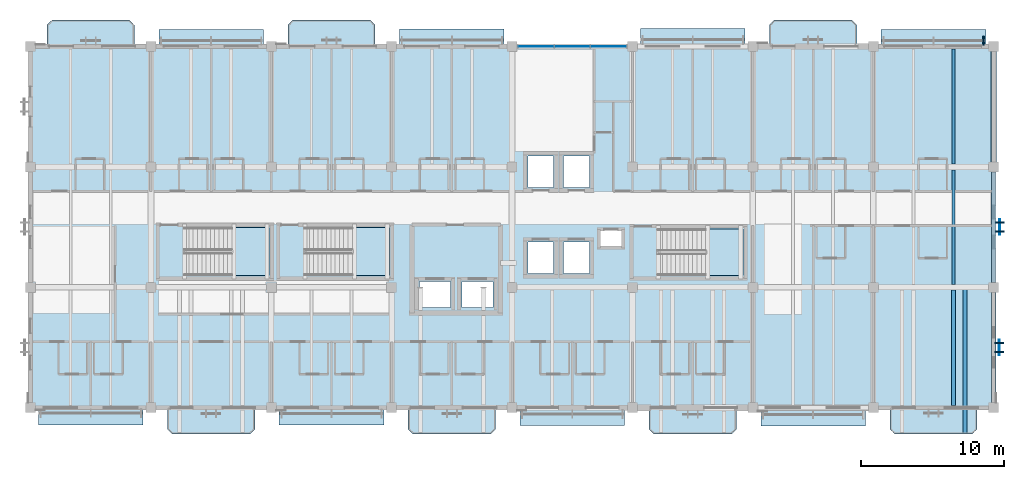
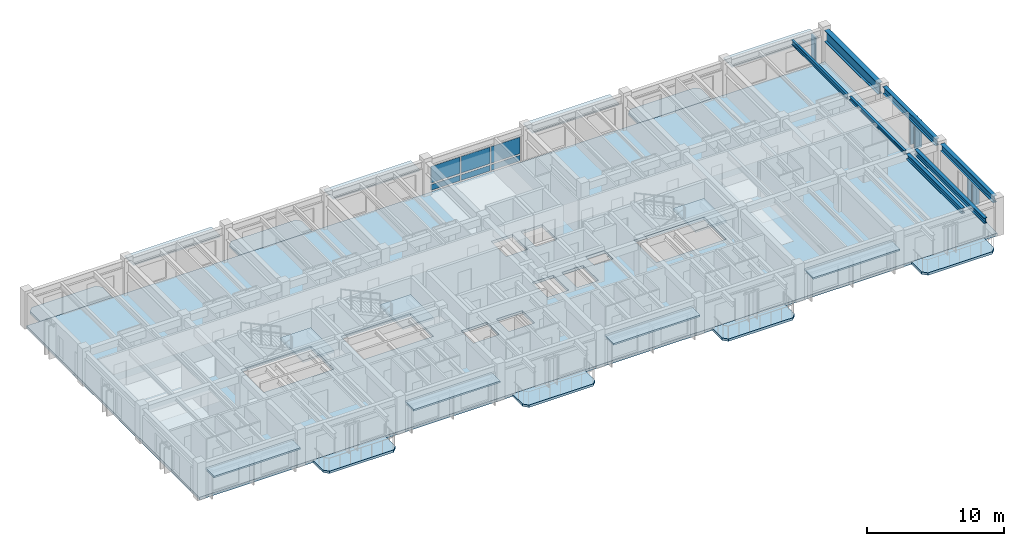
# One storey, part 4 of 18: 14 plates, 11 slabs, 7 beams, 7 members, 14 elements without a shape of their own.
"""IFC4 building model written with IfcOpenShell, lengths in metres."""

from ifc_helpers import new_model, si_unit, direction, frame, origin, origin_2d, place, context, subcontext, project, spatial, polyline, rectangle, i_section, outline, extrude, material, layer, layer_set, material_profile, profile_set, type_object, element, aggregate, save


model = new_model("IFC4")

# Units and contexts
model_context = context("Model", 3, precision=1e-05, world=origin(), true_north=direction((0.0, 1.0)))
body_context = subcontext(model_context, "Body", "Model", "MODEL_VIEW")
ifc_project = project(units=[si_unit("LENGTHUNIT", "METRE"), si_unit("AREAUNIT", "SQUARE_METRE"), si_unit("VOLUMEUNIT", "CUBIC_METRE"), si_unit("PLANEANGLEUNIT", "RADIAN"), si_unit("MASSUNIT", "GRAM", prefix="KILO")], contexts=[model_context])

# Site, building, storey
site_placement = place(None, origin())
site = spatial("IfcSite", under=ifc_project, at=site_placement, CompositionType="ELEMENT")
building_placement = place(site_placement, origin())
building = spatial("IfcBuilding", under=site, at=building_placement, Name="Cumbredor Promenade Congress Hotel", CompositionType="ELEMENT")
storey_placement = place(building_placement, frame((0.0, 0.0, 25.199951171875)))
storey = spatial("IfcBuildingStorey", under=building, at=storey_placement, Name="L07", CompositionType="ELEMENT", Elevation=25.199951171875)

# Beam
ifc_material_1 = material(Name="Steel ASTM A992 Grade 50", Category="steel")
ifc_material_profile_1 = material_profile(ifc_material_1, i_section(OverallWidth=0.402099609375, OverallDepth=1.011962890625, WebThickness=0.023681640625, FlangeThickness=0.0419921875, at=origin_2d()), Name="W40X297")
ifc_profile_set_1 = profile_set([ifc_material_profile_1], Name="Steel ASTM A992 Grade 50")
beam_type_1 = type_object("IfcBeamType", Name="BM-W40X297", PredefinedType="BEAM", material=ifc_profile_set_1)
beam_1_placement = place(storey_placement, frame((67.199951171875, 109.5, 2.533935546875), z_axis=(0.0, 1.0, 0.0), x_axis=(-1.0, 0.0, 0.0)))
element("IfcBeam", 1, at=beam_1_placement, inside=storey, type_object=beam_type_1, Name="L08 North Setback Transfer Girder TGN-08", PredefinedType="BEAM", context=body_context, shape_type="SweptSolid", body=[
    extrude(i_section(OverallWidth=0.402099609375, OverallDepth=1.011962890625, WebThickness=0.023681640625, FlangeThickness=0.0419921875, at=origin_2d()), origin(), (0.0, 0.0, 1.0), 7.800048828125),
])

# Curtain wall, member
ifc_material_2 = material(Name="Thermally broken anodized aluminium and low-E glass", Category="aluminium")
curtain_wall_type_1 = type_object("IfcCurtainWallType", Name="Solar Brise-Soleil Screen Assembly CW-07", PredefinedType="NOTDEFINED", material=ifc_material_2)
curtain_wall_1_placement = place(storey_placement, origin())
curtain_wall_1 = element("IfcCurtainWall", 2, at=curtain_wall_1_placement, inside=storey, type_object=curtain_wall_type_1, Name="L07 Pier Brise-Soleil Screen 1036", PredefinedType="NOTDEFINED")
ifc_material_3 = material(Name="Thermally broken anodized aluminium", Category="aluminium")
ifc_material_profile_2 = material_profile(ifc_material_3, rectangle(XDim=0.06494140625, YDim=0.1298828125, at=origin_2d()), Name="ALU TRANSOM 65x130")
ifc_profile_set_2 = profile_set([ifc_material_profile_2], Name="Thermally broken anodized aluminium")
member_type_1 = type_object("IfcMemberType", Name="Curtain Wall Transom TR-01", PredefinedType="USERDEFINED", material=ifc_profile_set_2)
member_1_placement = place(storey_placement, frame((67.60009765625, 96.050048828125, 2.333984375), z_axis=(0.0, 1.0, 0.0), x_axis=(-1.0, 0.0, 0.0)))
member_1 = element("IfcMember", 3, at=member_1_placement, type_object=member_type_1, Name="L07 Pier Brise-Soleil Header 1038", ObjectType="TRANSOM", PredefinedType="USERDEFINED", context=body_context, shape_type="SweptSolid", body=[
    extrude(rectangle(XDim=0.06494140625, YDim=0.1298828125, at=origin_2d()), origin(), (0.0, 0.0, 1.0), 1.099853515625),
])

curtain_wall_2_placement = place(storey_placement, origin())
curtain_wall_2 = element("IfcCurtainWall", 4, at=curtain_wall_2_placement, inside=storey, type_object=curtain_wall_type_1, Name="L07 Pier Brise-Soleil Screen 1039", PredefinedType="NOTDEFINED")
member_2_placement = place(storey_placement, frame((67.610107421875, 104.449951171875, 2.333984375), z_axis=(0.0, 1.0, 0.0), x_axis=(-1.0, 0.0, 0.0)))
member_2 = element("IfcMember", 5, at=member_2_placement, type_object=member_type_1, Name="L07 Pier Brise-Soleil Header 1041", ObjectType="TRANSOM", PredefinedType="USERDEFINED", context=body_context, shape_type="SweptSolid", body=[
    extrude(rectangle(XDim=0.06494140625, YDim=0.1298828125, at=origin_2d()), origin(), (0.0, 0.0, 1.0), 1.10009765625),
])

# Beams
ifc_material_profile_3 = material_profile(ifc_material_1, i_section(OverallWidth=0.202880859375, OverallDepth=0.302978515625, WebThickness=0.007568359375, FlangeThickness=0.01318359375, at=origin_2d()), Name="W12X40")
ifc_profile_set_3 = profile_set([ifc_material_profile_3], Name="Steel ASTM A992 Grade 50")
beam_type_2 = type_object("IfcBeamType", Name="JST-W12X40", PredefinedType="JOIST", material=ifc_profile_set_3)
beam_2_placement = place(storey_placement, frame((64.39990234375, 101.0, 2.968505859375), z_axis=(0.0, 1.0, 0.0), x_axis=(-1.0, 0.0, 0.0)))
element("IfcBeam", 6, at=beam_2_placement, inside=storey, type_object=beam_type_2, Name="L08 Secondary Floor Joist 0032", PredefinedType="JOIST", context=body_context, shape_type="SweptSolid", body=[
    extrude(i_section(OverallWidth=0.202880859375, OverallDepth=0.302978515625, WebThickness=0.007568359375, FlangeThickness=0.01318359375, at=origin_2d()), origin(), (0.0, 0.0, 1.0), 8.0),
])
ifc_material_profile_4 = material_profile(ifc_material_1, i_section(OverallWidth=0.180908203125, OverallDepth=0.4169921875, WebThickness=0.010986328125, FlangeThickness=0.018310546875, at=origin_2d()), Name="W16X57")
ifc_profile_set_4 = profile_set([ifc_material_profile_4], Name="Steel ASTM A992 Grade 50")
beam_type_3 = type_object("IfcBeamType", Name="JST-W16X57", PredefinedType="JOIST", material=ifc_profile_set_4)
beam_3_placement = place(storey_placement, frame((64.39990234375, 109.39990234375, 2.83154296875), z_axis=(0.0, 1.0, 0.0), x_axis=(-1.0, 0.0, 0.0)))
element("IfcBeam", 7, at=beam_3_placement, inside=storey, type_object=beam_type_3, Name="L08 Secondary Floor Joist 0034", PredefinedType="JOIST", context=body_context, shape_type="SweptSolid", body=[
    extrude(i_section(OverallWidth=0.180908203125, OverallDepth=0.4169921875, WebThickness=0.010986328125, FlangeThickness=0.018310546875, at=origin_2d()), origin(), (0.0, 0.0, 1.0), 8.0380859375),
])
ifc_material_profile_5 = material_profile(ifc_material_1, i_section(OverallWidth=0.280029296875, OverallDepth=0.462890625, WebThickness=0.0107421875, FlangeThickness=0.017333984375, at=origin_2d()), Name="W18X76")
ifc_profile_set_5 = profile_set([ifc_material_profile_5], Name="Steel ASTM A992 Grade 50")
beam_type_4 = type_object("IfcBeamType", Name="JST-W18X76", PredefinedType="JOIST", material=ifc_profile_set_5)
beam_4_placement = place(storey_placement, frame((65.199951171875, 90.64990234375, 2.888427734375), z_axis=(0.0, 1.0, 0.0), x_axis=(-1.0, 0.0, 0.0)))
element("IfcBeam", 8, at=beam_4_placement, inside=storey, type_object=beam_type_4, Name="L08 Balcony Back-Spanned Outrigger Beam 052.2", PredefinedType="JOIST", context=body_context, shape_type="SweptSolid", body=[
    extrude(i_section(OverallWidth=0.280029296875, OverallDepth=0.462890625, WebThickness=0.0107421875, FlangeThickness=0.017333984375, at=origin_2d()), origin(), (0.0, 0.0, 1.0), 10.150146484375),
])
beam_5_placement = place(storey_placement, frame((64.39990234375, 92.56201171875, 2.888427734375), z_axis=(0.0, 1.0, 0.0), x_axis=(-1.0, 0.0, 0.0)))
element("IfcBeam", 9, at=beam_5_placement, inside=storey, type_object=beam_type_4, Name="L08 Secondary Floor Joist 0030", PredefinedType="JOIST", context=body_context, shape_type="SweptSolid", body=[
    extrude(i_section(OverallWidth=0.280029296875, OverallDepth=0.462890625, WebThickness=0.0107421875, FlangeThickness=0.017333984375, at=origin_2d()), origin(), (0.0, 0.0, 1.0), 8.0380859375),
])
ifc_material_profile_6 = material_profile(ifc_material_1, i_section(OverallWidth=0.323974609375, OverallDepth=0.611083984375, WebThickness=0.0126953125, FlangeThickness=0.01904296875, at=origin_2d()), Name="W24X104")
ifc_profile_set_6 = profile_set([ifc_material_profile_6], Name="Steel ASTM A992 Grade 50")
beam_type_5 = type_object("IfcBeamType", Name="SP-W24X104", PredefinedType="SPANDREL", material=ifc_profile_set_6)
beam_6_placement = place(storey_placement, frame((67.199951171875, 92.75, 2.814453125), z_axis=(0.0, 1.0, 0.0), x_axis=(-1.0, 0.0, 0.0)))
element("IfcBeam", 10, at=beam_6_placement, inside=storey, type_object=beam_type_5, Name="L08 Y-Grid Beam 044", PredefinedType="SPANDREL", context=body_context, shape_type="SweptSolid", body=[
    extrude(i_section(OverallWidth=0.323974609375, OverallDepth=0.611083984375, WebThickness=0.0126953125, FlangeThickness=0.01904296875, at=origin_2d()), origin(), (0.0, 0.0, 1.0), 7.699951171875),
])
beam_7_placement = place(storey_placement, frame((67.199951171875, 101.14990234375, 2.814453125), z_axis=(0.0, 1.0, 0.0), x_axis=(-1.0, 0.0, 0.0)))
element("IfcBeam", 11, at=beam_7_placement, inside=storey, type_object=beam_type_5, Name="L08 Y-Grid Beam 045", PredefinedType="SPANDREL", context=body_context, shape_type="SweptSolid", body=[
    extrude(i_section(OverallWidth=0.323974609375, OverallDepth=0.611083984375, WebThickness=0.0126953125, FlangeThickness=0.01904296875, at=origin_2d()), origin(), (0.0, 0.0, 1.0), 7.7001953125),
])

# Curtain wall, member
curtain_wall_3_placement = place(storey_placement, origin())
curtain_wall_3 = element("IfcCurtainWall", 12, at=curtain_wall_3_placement, inside=storey, type_object=curtain_wall_type_1, Name="L07 Hospitality Brise-Soleil Screen 102", PredefinedType="NOTDEFINED")
ifc_material_profile_7 = material_profile(ifc_material_3, rectangle(XDim=0.110107421875, YDim=0.6201171875, at=origin_2d()), Name="ARCH FIN 110x620")
ifc_profile_set_7 = profile_set([ifc_material_profile_7], Name="Thermally broken anodized aluminium")
member_type_2 = type_object("IfcMemberType", Name="Vertical Bronze Brise-Soleil Fin BSF-02 110x620", PredefinedType="USERDEFINED", material=ifc_profile_set_7)
member_3_placement = place(storey_placement, frame((66.4990234375, 117.989990234375, 0.02001953125), z_axis=(0.0, 0.0, 1.0), x_axis=(1.0, 0.0, 0.0)))
member_3 = element("IfcMember", 13, at=member_3_placement, type_object=member_type_2, Name="L07 Vertical Brise-Soleil Fin 1026", ObjectType="SOLAR FIN", PredefinedType="USERDEFINED", context=body_context, shape_type="SweptSolid", body=[
    extrude(rectangle(XDim=0.110107421875, YDim=0.6201171875, at=origin_2d()), origin(), (0.0, 0.0, 1.0), 2.27392578125),
])

# Member
member_4_placement = place(storey_placement, frame((67.60009765625, 96.280029296875, 0.02001953125), z_axis=(0.0, 0.0, 1.0), x_axis=(0.0, 1.0, 0.0)))
member_4 = element("IfcMember", 14, at=member_4_placement, type_object=member_type_2, Name="L07 Pier Brise-Soleil Fin 1037", ObjectType="SOLAR FIN", PredefinedType="USERDEFINED", context=body_context, shape_type="SweptSolid", body=[
    extrude(rectangle(XDim=0.110107421875, YDim=0.6201171875, at=origin_2d()), origin(), (0.0, 0.0, 1.0), 2.35400390625),
])

member_5_placement = place(storey_placement, frame((67.60009765625, 96.919921875, 0.02001953125), z_axis=(0.0, 0.0, 1.0), x_axis=(0.0, 1.0, 0.0)))
member_5 = element("IfcMember", 15, at=member_5_placement, type_object=member_type_2, Name="L07 Pier Brise-Soleil Fin 1038", ObjectType="SOLAR FIN", PredefinedType="USERDEFINED", context=body_context, shape_type="SweptSolid", body=[
    extrude(rectangle(XDim=0.110107421875, YDim=0.6201171875, at=origin_2d()), origin(), (0.0, 0.0, 1.0), 2.35400390625),
])

aggregate(curtain_wall_1, [member_4, member_5, member_1])

member_6_placement = place(storey_placement, frame((67.610107421875, 104.679931640625, 0.02001953125), z_axis=(0.0, 0.0, 1.0), x_axis=(0.0, 1.0, 0.0)))
member_6 = element("IfcMember", 16, at=member_6_placement, type_object=member_type_2, Name="L07 Pier Brise-Soleil Fin 1040", ObjectType="SOLAR FIN", PredefinedType="USERDEFINED", context=body_context, shape_type="SweptSolid", body=[
    extrude(rectangle(XDim=0.110107421875, YDim=0.6201171875, at=origin_2d()), origin(), (0.0, 0.0, 1.0), 2.35400390625),
])

member_7_placement = place(storey_placement, frame((67.610107421875, 105.320068359375, 0.02001953125), z_axis=(0.0, 0.0, 1.0), x_axis=(0.0, 1.0, 0.0)))
member_7 = element("IfcMember", 17, at=member_7_placement, type_object=member_type_2, Name="L07 Pier Brise-Soleil Fin 1041", ObjectType="SOLAR FIN", PredefinedType="USERDEFINED", context=body_context, shape_type="SweptSolid", body=[
    extrude(rectangle(XDim=0.110107421875, YDim=0.6201171875, at=origin_2d()), origin(), (0.0, 0.0, 1.0), 2.35400390625),
])

aggregate(curtain_wall_2, [member_6, member_7, member_2])

# Slabs
ifc_material_4 = material(Name="Concrete C40/50", Category="concrete")
ifc_layer_1 = layer(ifc_material_4, 0.215087890625, Name="Concrete C40/50", Category="concrete")
ifc_layer_set_1 = layer_set([ifc_layer_1], Name="Concrete C40/50")
slab_type_1 = type_object("IfcSlabType", Name="Cantilevered Guestroom Balcony Slab 215mm", PredefinedType="FLOOR", material=ifc_layer_set_1)
slab_1_placement = place(storey_placement, frame((0.0, 0.0, -0.21484375)))
element("IfcSlab", 18, at=slab_1_placement, inside=storey, type_object=slab_type_1, Name="L07 Cantilevered Guestroom Veranda Balcony 042", PredefinedType="FLOOR", context=body_context, shape_type="SweptSolid", body=[
    extrude(outline(polyline([(1.14990234375, 117.60009765625), (7.25, 117.60009765625), (7.25, 119.10009765625), (6.89990234375, 119.449951171875), (1.5, 119.449951171875), (1.14990234375, 119.10009765625), (1.14990234375, 117.60009765625)])), origin(), (0.0, 0.0, 1.0), 0.21484375),
])
slab_2_placement = place(storey_placement, frame((0.0, 0.0, -0.21484375)))
element("IfcSlab", 19, at=slab_2_placement, inside=storey, type_object=slab_type_1, Name="L07 Cantilevered Guestroom Veranda Balcony 043", PredefinedType="FLOOR", context=body_context, shape_type="SweptSolid", body=[
    extrude(outline(polyline([(17.949951171875, 117.60009765625), (24.050048828125, 117.60009765625), (24.050048828125, 119.10009765625), (23.699951171875, 119.449951171875), (18.300048828125, 119.449951171875), (17.949951171875, 119.10009765625), (17.949951171875, 117.60009765625)])), origin(), (0.0, 0.0, 1.0), 0.21484375),
])
slab_3_placement = place(storey_placement, frame((0.0, 0.0, -0.21484375)))
element("IfcSlab", 20, at=slab_3_placement, inside=storey, type_object=slab_type_1, Name="L07 Cantilevered Guestroom Veranda Balcony 044", PredefinedType="FLOOR", context=body_context, shape_type="SweptSolid", body=[
    extrude(outline(polyline([(51.550048828125, 117.60009765625), (57.64990234375, 117.60009765625), (57.64990234375, 119.10009765625), (57.300048828125, 119.449951171875), (51.89990234375, 119.449951171875), (51.550048828125, 119.10009765625), (51.550048828125, 117.60009765625)])), origin(), (0.0, 0.0, 1.0), 0.21484375),
])
slab_4_placement = place(storey_placement, frame((0.0, 0.0, -0.21484375)))
element("IfcSlab", 21, at=slab_4_placement, inside=storey, type_object=slab_type_1, Name="L07 Cantilevered Guestroom Veranda Balcony 045", PredefinedType="FLOOR", context=body_context, shape_type="SweptSolid", body=[
    extrude(outline(polyline([(9.89990234375, 90.550048828125), (15.300048828125, 90.550048828125), (15.64990234375, 90.89990234375), (15.64990234375, 92.39990234375), (9.550048828125, 92.39990234375), (9.550048828125, 90.89990234375), (9.89990234375, 90.550048828125)])), origin(), (0.0, 0.0, 1.0), 0.21484375),
])
slab_5_placement = place(storey_placement, frame((0.0, 0.0, -0.21484375)))
element("IfcSlab", 22, at=slab_5_placement, inside=storey, type_object=slab_type_1, Name="L07 Cantilevered Guestroom Veranda Balcony 046", PredefinedType="FLOOR", context=body_context, shape_type="SweptSolid", body=[
    extrude(outline(polyline([(26.699951171875, 90.550048828125), (32.10009765625, 90.550048828125), (32.449951171875, 90.89990234375), (32.449951171875, 92.39990234375), (26.35009765625, 92.39990234375), (26.35009765625, 90.89990234375), (26.699951171875, 90.550048828125)])), origin(), (0.0, 0.0, 1.0), 0.21484375),
])
slab_6_placement = place(storey_placement, frame((0.0, 0.0, -0.21484375)))
element("IfcSlab", 23, at=slab_6_placement, inside=storey, type_object=slab_type_1, Name="L07 Cantilevered Guestroom Veranda Balcony 047", PredefinedType="FLOOR", context=body_context, shape_type="SweptSolid", body=[
    extrude(outline(polyline([(43.5, 90.550048828125), (48.89990234375, 90.550048828125), (49.25, 90.89990234375), (49.25, 92.39990234375), (43.14990234375, 92.39990234375), (43.14990234375, 90.89990234375), (43.5, 90.550048828125)])), origin(), (0.0, 0.0, 1.0), 0.21484375),
])
slab_7_placement = place(storey_placement, frame((0.0, 0.0, -0.21484375)))
element("IfcSlab", 24, at=slab_7_placement, inside=storey, type_object=slab_type_1, Name="L07 Cantilevered Guestroom Veranda Balcony 048", PredefinedType="FLOOR", context=body_context, shape_type="SweptSolid", body=[
    extrude(outline(polyline([(60.300048828125, 90.550048828125), (65.699951171875, 90.550048828125), (66.050048828125, 90.89990234375), (66.050048828125, 92.39990234375), (59.949951171875, 92.39990234375), (59.949951171875, 90.89990234375), (60.300048828125, 90.550048828125)])), origin(), (0.0, 0.0, 1.0), 0.21484375),
])

# Stair, slab
stair_type_1 = type_object("IfcStairType", Name="Protected Dog-Leg Exit Stair ST-T2 1600mm", PredefinedType="HALF_TURN_STAIR", material=ifc_material_4)
stair_1_placement = place(storey_placement, origin())
stair_1 = element("IfcStair", 25, at=stair_1_placement, inside=storey, type_object=stair_type_1, Name="L07 Protected Exit Stair ST-01", PredefinedType="HALF_TURN_STAIR")
ifc_layer_2 = layer(ifc_material_4, 0.199951171875, Name="Concrete C40/50", Category="concrete")
ifc_layer_set_2 = layer_set([ifc_layer_2], Name="Concrete C40/50")
slab_type_2 = type_object("IfcSlabType", Name="Concrete Stair Landing Slab 200mm", PredefinedType="LANDING", material=ifc_layer_set_2)
slab_8_placement = place(storey_placement, frame((0.0, 0.0, 1.47998046875)))
slab_8 = element("IfcSlab", 26, at=slab_8_placement, type_object=slab_type_2, Name="ST-01 landing 1", PredefinedType="LANDING", context=body_context, shape_type="SweptSolid", body=[
    extrude(outline(polyline([(14.050048828125, 101.6201171875), (16.64990234375, 101.6201171875), (16.64990234375, 104.969970703125), (14.050048828125, 104.969970703125), (14.050048828125, 101.6201171875)])), origin(), (0.0, 0.0, 1.0), 0.199951171875),
])
aggregate(stair_1, [slab_8])

stair_2_placement = place(storey_placement, origin())
stair_2 = element("IfcStair", 27, at=stair_2_placement, inside=storey, type_object=stair_type_1, Name="L07 Protected Exit Stair ST-02", PredefinedType="HALF_TURN_STAIR")
slab_9_placement = place(storey_placement, frame((0.0, 0.0, 1.47998046875)))
slab_9 = element("IfcSlab", 28, at=slab_9_placement, type_object=slab_type_2, Name="ST-02 landing 1", PredefinedType="LANDING", context=body_context, shape_type="SweptSolid", body=[
    extrude(outline(polyline([(22.449951171875, 101.6201171875), (25.050048828125, 101.6201171875), (25.050048828125, 104.969970703125), (22.449951171875, 104.969970703125), (22.449951171875, 101.6201171875)])), origin(), (0.0, 0.0, 1.0), 0.199951171875),
])
aggregate(stair_2, [slab_9])

stair_type_2 = type_object("IfcStairType", Name="Protected Dog-Leg Exit Stair ST-T1 1550mm", PredefinedType="HALF_TURN_STAIR", material=ifc_material_4)
stair_3_placement = place(storey_placement, origin())
stair_3 = element("IfcStair", 29, at=stair_3_placement, inside=storey, type_object=stair_type_2, Name="L07 Protected Exit Stair ST-03", PredefinedType="HALF_TURN_STAIR")
slab_10_placement = place(storey_placement, frame((0.0, 0.0, 1.47998046875)))
slab_10 = element("IfcSlab", 30, at=slab_10_placement, type_object=slab_type_2, Name="ST-03 landing 1", PredefinedType="LANDING", context=body_context, shape_type="SweptSolid", body=[
    extrude(outline(polyline([(47.10009765625, 101.6201171875), (49.699951171875, 101.6201171875), (49.699951171875, 104.8701171875), (47.10009765625, 104.8701171875), (47.10009765625, 101.6201171875)])), origin(), (0.0, 0.0, 1.0), 0.199951171875),
])
aggregate(stair_3, [slab_10])

# Curtain wall, plates
curtain_wall_type_2 = type_object("IfcCurtainWallType", Name="Unitised Bronze Curtain Wall CW-01", PredefinedType="NOTDEFINED", material=ifc_material_2)
curtain_wall_4_placement = place(storey_placement, origin())
curtain_wall_4 = element("IfcCurtainWall", 31, at=curtain_wall_4_placement, inside=storey, type_object=curtain_wall_type_2, Name="L07 Stepped Congress Hotel Wing North Curtain Wall 5", PredefinedType="NOTDEFINED")
ifc_material_5 = material(Name="Laminated low-E solar-control glass", Category="glass")
ifc_layer_3 = layer(ifc_material_5, 0.031982421875, Name="Laminated low-E solar-control glass", Category="glass")
ifc_layer_set_3 = layer_set([ifc_layer_3], Name="Laminated low-E solar-control glass")
plate_type_1 = type_object("IfcPlateType", Name="Glazed Vision Panel PNL-02", PredefinedType="CURTAIN_PANEL", material=ifc_layer_set_3)
plate_1_placement = place(storey_placement, frame((35.27001953125, 117.60009765625, 0.794921875), z_axis=(0.0, 0.0, 1.0), x_axis=(1.0, 0.0, 0.0)))
plate_1 = element("IfcPlate", 32, at=plate_1_placement, type_object=plate_type_1, Name="L07 Stepped Congress Hotel Wing North Curtain Wall 5 Glazing Panel 1.2", PredefinedType="CURTAIN_PANEL", context=body_context, shape_type="SweptSolid", body=[
    extrude(rectangle(XDim=2.455078125, YDim=0.031982421875, at=origin_2d()), origin(), (0.0, 0.0, 1.0), 1.469970703125),
])
plate_2_placement = place(storey_placement, frame((37.800048828125, 117.60009765625, 0.794921875), z_axis=(0.0, 0.0, 1.0), x_axis=(1.0, 0.0, 0.0)))
plate_2 = element("IfcPlate", 33, at=plate_2_placement, type_object=plate_type_1, Name="L07 Stepped Congress Hotel Wing North Curtain Wall 5 Glazing Panel 2.2", PredefinedType="CURTAIN_PANEL", context=body_context, shape_type="SweptSolid", body=[
    extrude(rectangle(XDim=2.455078125, YDim=0.031982421875, at=origin_2d()), origin(), (0.0, 0.0, 1.0), 1.469970703125),
])
plate_3_placement = place(storey_placement, frame((40.330078125, 117.60009765625, 0.794921875), z_axis=(0.0, 0.0, 1.0), x_axis=(1.0, 0.0, 0.0)))
plate_3 = element("IfcPlate", 34, at=plate_3_placement, type_object=plate_type_1, Name="L07 Stepped Congress Hotel Wing North Curtain Wall 5 Glazing Panel 3.2", PredefinedType="CURTAIN_PANEL", context=body_context, shape_type="SweptSolid", body=[
    extrude(rectangle(XDim=2.455078125, YDim=0.031982421875, at=origin_2d()), origin(), (0.0, 0.0, 1.0), 1.469970703125),
])

# Curtain wall, plate
curtain_wall_5_placement = place(storey_placement, origin())
curtain_wall_5 = element("IfcCurtainWall", 35, at=curtain_wall_5_placement, inside=storey, type_object=curtain_wall_type_1, Name="L07 Hospitality Brise-Soleil Screen 095", PredefinedType="NOTDEFINED")
ifc_material_6 = material(Name="Precast concrete C40/50", Category="concrete")
ifc_layer_4 = layer(ifc_material_6, 0.14501953125, Name="Precast concrete C40/50", Category="concrete")
ifc_layer_set_4 = layer_set([ifc_layer_4], Name="Precast concrete C40/50")
plate_type_2 = type_object("IfcPlateType", Name="Horizontal Precast Sun-Hood Eyebrow Plate 145mm", PredefinedType="USERDEFINED", material=ifc_layer_set_4)
plate_4_placement = place(storey_placement, frame((4.199951171875, 91.844970703125, 2.254150390625), z_axis=(0.0, 0.0, 1.0), x_axis=(1.0, 0.0, 0.0)))
plate_4 = element("IfcPlate", 36, at=plate_4_placement, type_object=plate_type_2, Name="L07 Horizontal Sun-Hood Eyebrow 095", ObjectType="SUN HOOD", PredefinedType="USERDEFINED", context=body_context, shape_type="SweptSolid", body=[
    extrude(rectangle(XDim=7.298095703125, YDim=1.27001953125, at=origin_2d()), origin(), (0.0, 0.0, 1.0), 0.14501953125),
])
aggregate(curtain_wall_5, [plate_4])

curtain_wall_6_placement = place(storey_placement, origin())
curtain_wall_6 = element("IfcCurtainWall", 37, at=curtain_wall_6_placement, inside=storey, type_object=curtain_wall_type_1, Name="L07 Hospitality Brise-Soleil Screen 096", PredefinedType="NOTDEFINED")
plate_5_placement = place(storey_placement, frame((21.0, 91.833740234375, 2.333984375), z_axis=(0.0, 0.0, 1.0), x_axis=(1.0, 0.0, 0.0)))
plate_5 = element("IfcPlate", 38, at=plate_5_placement, type_object=plate_type_2, Name="L07 Horizontal Sun-Hood Eyebrow 096", ObjectType="SUN HOOD", PredefinedType="USERDEFINED", context=body_context, shape_type="SweptSolid", body=[
    extrude(rectangle(XDim=7.298095703125, YDim=1.29248046875, at=origin_2d()), origin(), (0.0, 0.0, 1.0), 0.14501953125),
])
aggregate(curtain_wall_6, [plate_5])

curtain_wall_7_placement = place(storey_placement, origin())
curtain_wall_7 = element("IfcCurtainWall", 39, at=curtain_wall_7_placement, inside=storey, type_object=curtain_wall_type_1, Name="L07 Hospitality Brise-Soleil Screen 097", PredefinedType="NOTDEFINED")
plate_6_placement = place(storey_placement, frame((37.800048828125, 91.820068359375, 2.333984375), z_axis=(0.0, 0.0, 1.0), x_axis=(1.0, 0.0, 0.0)))
plate_6 = element("IfcPlate", 40, at=plate_6_placement, type_object=plate_type_2, Name="L07 Horizontal Sun-Hood Eyebrow 097", ObjectType="SUN HOOD", PredefinedType="USERDEFINED", context=body_context, shape_type="SweptSolid", body=[
    extrude(rectangle(XDim=7.298095703125, YDim=1.320068359375, at=origin_2d()), origin(), (0.0, 0.0, 1.0), 0.14501953125),
])
aggregate(curtain_wall_7, [plate_6])

curtain_wall_8_placement = place(storey_placement, origin())
curtain_wall_8 = element("IfcCurtainWall", 41, at=curtain_wall_8_placement, inside=storey, type_object=curtain_wall_type_1, Name="L07 Hospitality Brise-Soleil Screen 098", PredefinedType="NOTDEFINED")
plate_7_placement = place(storey_placement, frame((54.60009765625, 91.802490234375, 2.333984375), z_axis=(0.0, 0.0, 1.0), x_axis=(1.0, 0.0, 0.0)))
plate_7 = element("IfcPlate", 42, at=plate_7_placement, type_object=plate_type_2, Name="L07 Horizontal Sun-Hood Eyebrow 098", ObjectType="SUN HOOD", PredefinedType="USERDEFINED", context=body_context, shape_type="SweptSolid", body=[
    extrude(rectangle(XDim=7.298095703125, YDim=1.35498046875, at=origin_2d()), origin(), (0.0, 0.0, 1.0), 0.14501953125),
])
aggregate(curtain_wall_8, [plate_7])

curtain_wall_9_placement = place(storey_placement, origin())
curtain_wall_9 = element("IfcCurtainWall", 43, at=curtain_wall_9_placement, inside=storey, type_object=curtain_wall_type_1, Name="L07 Hospitality Brise-Soleil Screen 099", PredefinedType="NOTDEFINED")
plate_8_placement = place(storey_placement, frame((12.60009765625, 118.159912109375, 2.254150390625), z_axis=(0.0, 0.0, 1.0), x_axis=(1.0, 0.0, 0.0)))
plate_8 = element("IfcPlate", 44, at=plate_8_placement, type_object=plate_type_2, Name="L07 Horizontal Sun-Hood Eyebrow 099", ObjectType="SUN HOOD", PredefinedType="USERDEFINED", context=body_context, shape_type="SweptSolid", body=[
    extrude(rectangle(XDim=7.298095703125, YDim=1.280029296875, at=origin_2d()), origin(), (0.0, 0.0, 1.0), 0.14501953125),
])
aggregate(curtain_wall_9, [plate_8])

curtain_wall_10_placement = place(storey_placement, origin())
curtain_wall_10 = element("IfcCurtainWall", 45, at=curtain_wall_10_placement, inside=storey, type_object=curtain_wall_type_1, Name="L07 Hospitality Brise-Soleil Screen 100", PredefinedType="NOTDEFINED")
plate_9_placement = place(storey_placement, frame((29.39990234375, 118.172607421875, 2.254150390625), z_axis=(0.0, 0.0, 1.0), x_axis=(1.0, 0.0, 0.0)))
plate_9 = element("IfcPlate", 46, at=plate_9_placement, type_object=plate_type_2, Name="L07 Horizontal Sun-Hood Eyebrow 100", ObjectType="SUN HOOD", PredefinedType="USERDEFINED", context=body_context, shape_type="SweptSolid", body=[
    extrude(rectangle(XDim=7.298095703125, YDim=1.304931640625, at=origin_2d()), origin(), (0.0, 0.0, 1.0), 0.14501953125),
])
aggregate(curtain_wall_10, [plate_9])

curtain_wall_11_placement = place(storey_placement, origin())
curtain_wall_11 = element("IfcCurtainWall", 47, at=curtain_wall_11_placement, inside=storey, type_object=curtain_wall_type_1, Name="L07 Hospitality Brise-Soleil Screen 101", PredefinedType="NOTDEFINED")
plate_10_placement = place(storey_placement, frame((46.199951171875, 118.191162109375, 2.254150390625), z_axis=(0.0, 0.0, 1.0), x_axis=(1.0, 0.0, 0.0)))
plate_10 = element("IfcPlate", 48, at=plate_10_placement, type_object=plate_type_2, Name="L07 Horizontal Sun-Hood Eyebrow 101", ObjectType="SUN HOOD", PredefinedType="USERDEFINED", context=body_context, shape_type="SweptSolid", body=[
    extrude(rectangle(XDim=7.298095703125, YDim=1.342529296875, at=origin_2d()), origin(), (0.0, 0.0, 1.0), 0.14501953125),
])
aggregate(curtain_wall_11, [plate_10])

# Plate
plate_11_placement = place(storey_placement, frame((63.0, 118.14990234375, 2.254150390625), z_axis=(0.0, 0.0, 1.0), x_axis=(1.0, 0.0, 0.0)))
plate_11 = element("IfcPlate", 49, at=plate_11_placement, type_object=plate_type_2, Name="L07 Horizontal Sun-Hood Eyebrow 102", ObjectType="SUN HOOD", PredefinedType="USERDEFINED", context=body_context, shape_type="SweptSolid", body=[
    extrude(rectangle(XDim=7.298095703125, YDim=1.260009765625, at=origin_2d()), origin(), (0.0, 0.0, 1.0), 0.14501953125),
])

aggregate(curtain_wall_3, [plate_11, member_3])

# Slab
ifc_layer_5 = layer(ifc_material_4, 0.239990234375, Name="Concrete C40/50", Category="concrete")
ifc_layer_set_5 = layer_set([ifc_layer_5], Name="Concrete C40/50")
slab_type_3 = type_object("IfcSlabType", Name="Hotel Typical Floor Slab 240mm", PredefinedType="FLOOR", material=ifc_layer_set_5)
slab_11_placement = place(storey_placement, frame((0.0, 0.0, -0.239990234375)))
element("IfcSlab", 50, at=slab_11_placement, inside=storey, type_object=slab_type_3, Name="L07 Stepped Congress Hotel Wing Floor Slab", PredefinedType="FLOOR", context=body_context, shape_type="SweptSolid", body=[
    extrude(outline(polyline([(0.0, 92.39990234375), (67.199951171875, 92.39990234375), (67.199951171875, 117.60009765625), (0.0, 117.60009765625), (0.0, 92.39990234375)]), holes=[polyline([(10.75, 101.6201171875), (16.64990234375, 101.6201171875), (16.64990234375, 104.969970703125), (10.75, 104.969970703125), (10.75, 101.6201171875)]), polyline([(19.14990234375, 101.6201171875), (25.050048828125, 101.6201171875), (25.050048828125, 104.969970703125), (19.14990234375, 104.969970703125), (19.14990234375, 101.6201171875)]), polyline([(43.800048828125, 101.6201171875), (49.699951171875, 101.6201171875), (49.699951171875, 104.8701171875), (43.800048828125, 104.8701171875), (43.800048828125, 101.6201171875)]), polyline([(27.1298828125, 99.39990234375), (29.300048828125, 99.39990234375), (29.300048828125, 101.199951171875), (27.1298828125, 101.199951171875), (27.1298828125, 99.39990234375)]), polyline([(30.10009765625, 99.39990234375), (32.27001953125, 99.39990234375), (32.27001953125, 101.199951171875), (30.10009765625, 101.199951171875), (30.10009765625, 99.39990234375)]), polyline([(34.699951171875, 107.75), (36.5, 107.75), (36.5, 109.949951171875), (34.699951171875, 109.949951171875), (34.699951171875, 107.75)]), polyline([(37.199951171875, 107.75), (39.0, 107.75), (39.0, 109.949951171875), (37.199951171875, 109.949951171875), (37.199951171875, 107.75)]), polyline([(34.699951171875, 101.75), (36.5, 101.75), (36.5, 103.949951171875), (34.699951171875, 103.949951171875), (34.699951171875, 101.75)]), polyline([(37.199951171875, 101.75), (39.0, 101.75), (39.0, 103.949951171875), (37.199951171875, 103.949951171875), (37.199951171875, 101.75)]), polyline([(39.699951171875, 103.60009765625), (41.300048828125, 103.60009765625), (41.300048828125, 104.800048828125), (39.699951171875, 104.800048828125), (39.699951171875, 103.60009765625)])]), origin(), (0.0, 0.0, 1.0), 0.239990234375),
])

# Plate
ifc_layer_6 = layer(ifc_material_3, 0.0400390625, Name="Thermally broken anodized aluminium", Category="aluminium")
ifc_layer_set_6 = layer_set([ifc_layer_6], Name="Thermally broken anodized aluminium")
plate_type_3 = type_object("IfcPlateType", Name="Insulated Spandrel Panel PNL-06", PredefinedType="CURTAIN_PANEL", material=ifc_layer_set_6)
plate_12_placement = place(storey_placement, frame((35.27001953125, 117.60009765625, 0.14501953125), z_axis=(0.0, 0.0, 1.0), x_axis=(1.0, 0.0, 0.0)))
plate_12 = element("IfcPlate", 51, at=plate_12_placement, type_object=plate_type_3, Name="L07 Stepped Congress Hotel Wing North Curtain Wall 5 Spandrel Panel 1.1", PredefinedType="CURTAIN_PANEL", context=body_context, shape_type="SweptSolid", body=[
    extrude(rectangle(XDim=2.455078125, YDim=0.0400390625, at=origin_2d()), origin(), (0.0, 0.0, 1.0), 0.5),
])

plate_13_placement = place(storey_placement, frame((37.800048828125, 117.60009765625, 0.14501953125), z_axis=(0.0, 0.0, 1.0), x_axis=(1.0, 0.0, 0.0)))
plate_13 = element("IfcPlate", 52, at=plate_13_placement, type_object=plate_type_3, Name="L07 Stepped Congress Hotel Wing North Curtain Wall 5 Spandrel Panel 2.1", PredefinedType="CURTAIN_PANEL", context=body_context, shape_type="SweptSolid", body=[
    extrude(rectangle(XDim=2.455078125, YDim=0.0400390625, at=origin_2d()), origin(), (0.0, 0.0, 1.0), 0.5),
])

plate_14_placement = place(storey_placement, frame((40.330078125, 117.60009765625, 0.14501953125), z_axis=(0.0, 0.0, 1.0), x_axis=(1.0, 0.0, 0.0)))
plate_14 = element("IfcPlate", 53, at=plate_14_placement, type_object=plate_type_3, Name="L07 Stepped Congress Hotel Wing North Curtain Wall 5 Spandrel Panel 3.1", PredefinedType="CURTAIN_PANEL", context=body_context, shape_type="SweptSolid", body=[
    extrude(rectangle(XDim=2.455078125, YDim=0.0400390625, at=origin_2d()), origin(), (0.0, 0.0, 1.0), 0.5),
])

aggregate(curtain_wall_4, [plate_12, plate_1, plate_13, plate_2, plate_14, plate_3])

save(model, "model.ifc")
